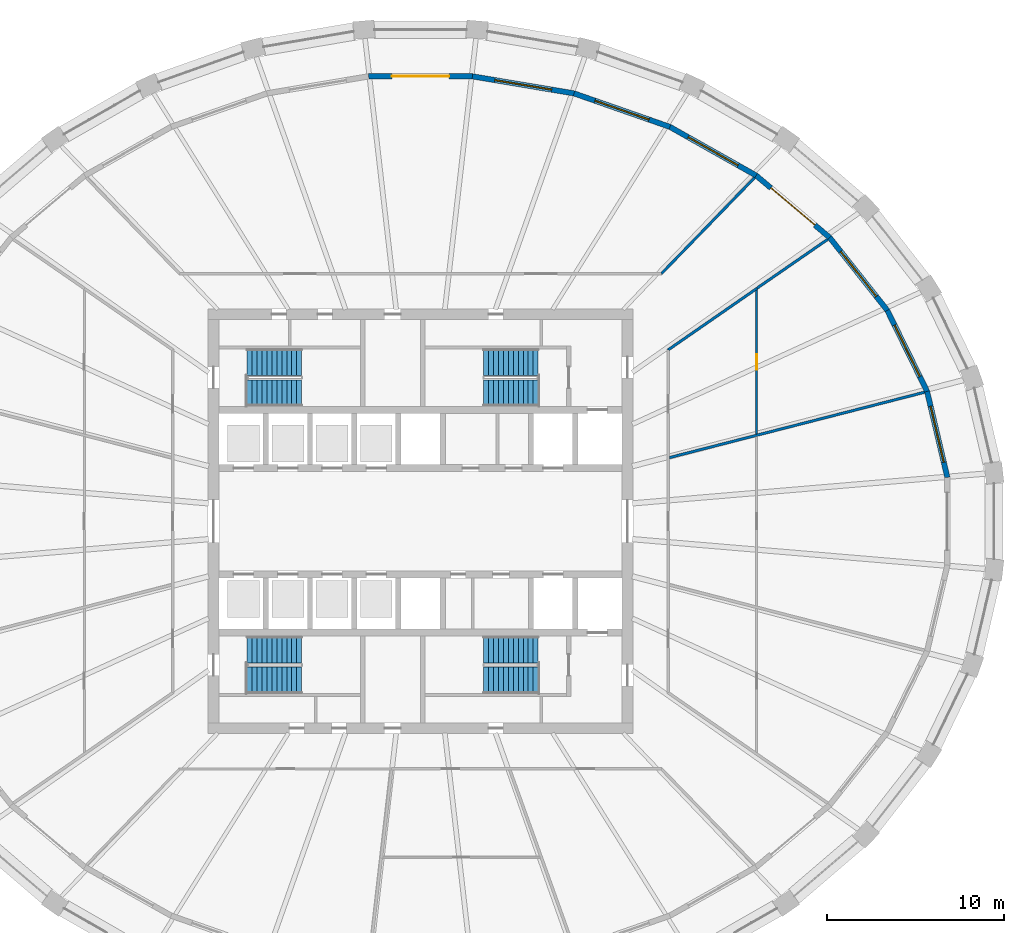
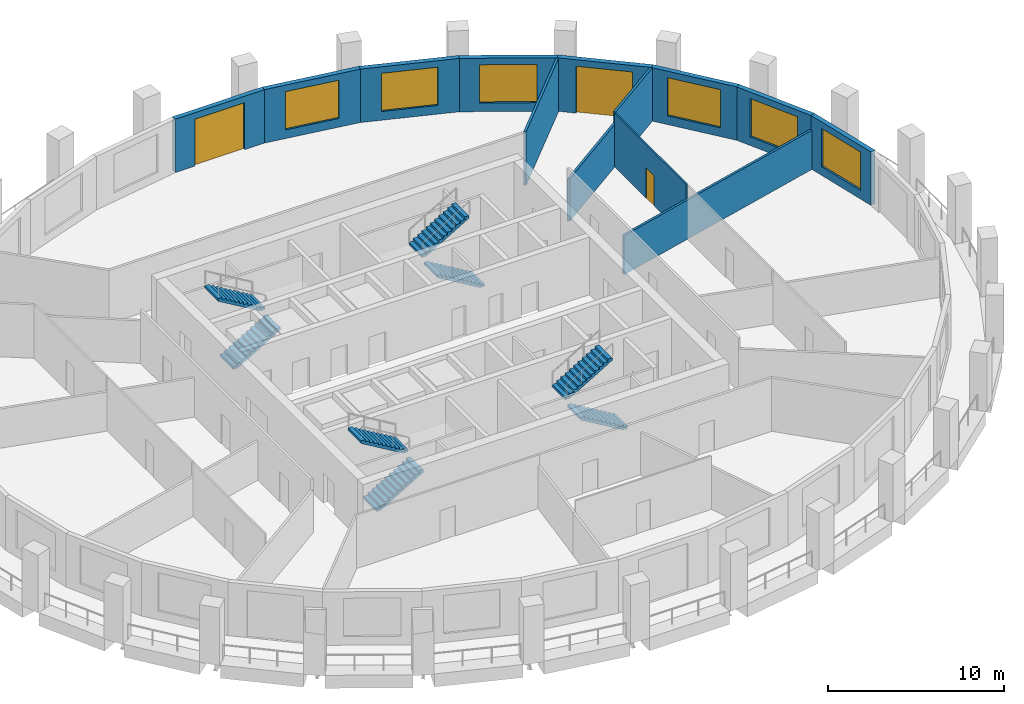
# One storey, part 7 of 10: 13 walls, 8 stair flights, 6 windows, 3 doors, 9 openings, 4 elements without a shape of their own.
"""IFC4 building model written with IfcOpenShell, lengths in metres."""

from ifc_helpers import new_model, si_unit, direction, frame, frame_2d, origin, place, context, subcontext, project, spatial, polyline, rectangle, outline, extrude, material, layer, layer_set, type_object, element, fill, aggregate, save


model = new_model("IFC4")

# Units and contexts
model_context = context("Model", 3, precision=1e-05, world=origin(), true_north=direction((0.0, 1.0)))
body_context = subcontext(model_context, "Body", "Model", "MODEL_VIEW")
ifc_project = project(units=[si_unit("LENGTHUNIT", "METRE"), si_unit("AREAUNIT", "SQUARE_METRE"), si_unit("VOLUMEUNIT", "CUBIC_METRE"), si_unit("PLANEANGLEUNIT", "RADIAN"), si_unit("MASSUNIT", "GRAM", prefix="KILO")], contexts=[model_context])

# Site, building, storey
site_placement = place(None, origin())
site = spatial("IfcSite", under=ifc_project, at=site_placement, CompositionType="ELEMENT")
building_placement = place(site_placement, origin())
building = spatial("IfcBuilding", under=site, at=building_placement, Name="Halqa Exchange Tower", CompositionType="ELEMENT")
storey_placement = place(building_placement, frame((0.0, 0.0, 194.89990234375)))
storey = spatial("IfcBuildingStorey", under=building, at=storey_placement, Name="L44", CompositionType="ELEMENT", Elevation=194.89990234375)

# Walls
ifc_material_1 = material(Name="Fire-rated gypsum board")
ifc_layer_1 = layer(ifc_material_1, 0.14990234375)
ifc_layer_set_1 = layer_set([ifc_layer_1], Name="Fire-rated gypsum board")
wall_type_1 = type_object("IfcWallType", Name="Fire partition EI 60 150", PredefinedType="PARTITIONING", material=ifc_layer_set_1)
wall_1_placement = place(storey_placement, frame((13.597900390625, 13.977294921875, 0.0), z_axis=(0.0, 0.0, 1.0), x_axis=(0.696864554069, 0.717202756048, 0.0)))
element("IfcWall", 1, at=wall_1_placement, inside=storey, type_object=wall_type_1, Name="L44-PWL-019", PredefinedType="PARTITIONING", context=body_context, shape_type="SweptSolid", body=[
    extrude(outline(polyline([(7.5986328125, -0.074951171875), (7.5986328125, -0.073974609375), (7.59375, -0.002685546875), (7.5732421875, 0.074951171875), (5.69580078125, 0.074951171875), (3.818359375, 0.074951171875), (1.94091796875, 0.074951171875), (0.0634765625, 0.074951171875), (0.03173828125, 0.0), (0.0, -0.074951171875), (1.899658203125, -0.074951171875), (3.79931640625, -0.074951171875), (5.698974609375, -0.074951171875), (7.5986328125, -0.074951171875)])), origin(), (0.0, 0.0, 1.0), 3.7001953125),
])
wall_2_placement = place(storey_placement, frame((14.056640625, 3.594482421875, 0.0), z_axis=(0.0, 0.0, 1.0), x_axis=(0.96870063855, 0.248231893342, 0.0)))
element("IfcWall", 2, at=wall_2_placement, inside=storey, type_object=wall_type_1, Name="L44-PWL-023", PredefinedType="PARTITIONING", context=body_context, shape_type="SweptSolid", body=[
    extrude(outline(polyline([(0.0, -0.074951171875), (1.677490234375, -0.074951171875), (3.354736328125, -0.074951171875), (5.0322265625, -0.074951171875), (5.03271484375, -0.073486328125), (5.0380859375, -0.074951171875), (7.011474609375, -0.074951171875), (8.984619140625, -0.074951171875), (10.957763671875, -0.074951171875), (12.93115234375, -0.074951171875), (14.904296875, -0.074951171875), (14.904296875, 0.007568359375), (14.89013671875, 0.074951171875), (12.947021484375, 0.074951171875), (11.003662109375, 0.074951171875), (9.060546875, 0.074951171875), (7.1171875, 0.074951171875), (5.173828125, 0.074951171875), (5.173583984375, 0.073486328125), (5.168212890625, 0.074951171875), (3.458251953125, 0.074951171875), (1.748291015625, 0.074951171875), (0.0380859375, 0.074951171875), (0.0, -0.073974609375), (0.0, -0.074951171875)])), origin(), (0.0, 0.0, 1.0), 2.710205078125),
])
wall_3_placement = place(storey_placement, frame((13.9677734375, 9.66748046875, 0.0), z_axis=(0.0, 0.0, 1.0), x_axis=(0.822290630684, 0.569067762827, 0.0)))
element("IfcWall", 3, at=wall_3_placement, inside=storey, type_object=wall_type_1, Name="L44-PWL-024", PredefinedType="PARTITIONING", context=body_context, shape_type="SweptSolid", body=[
    extrude(outline(polyline([(6.159912109375, 0.074951171875), (4.619873046875, 0.074951171875), (3.080078125, 0.074951171875), (1.5400390625, 0.074951171875), (0.000244140625, 0.074951171875), (0.07861328125, -0.074951171875), (1.598876953125, -0.074951171875), (3.119384765625, -0.074951171875), (4.6396484375, -0.074951171875), (6.159912109375, -0.074951171875), (6.159912109375, 0.074951171875)])), origin(), (0.0, 0.0, 1.0), 2.947021484375),
])
wall_4_placement = place(storey_placement, frame((19.0283203125, 13.179443359375, 0.0), z_axis=(0.0, 0.0, 1.0), x_axis=(0.822732902653, 0.568428158074, 0.0)))
element("IfcWall", 4, at=wall_4_placement, inside=storey, type_object=wall_type_1, Name="L44-PWL-026", PredefinedType="PARTITIONING", context=body_context, shape_type="SweptSolid", body=[
    extrude(outline(polyline([(4.856689453125, -0.074951171875), (4.856689453125, -0.067626953125), (4.852294921875, 0.001708984375), (4.832275390625, 0.074951171875), (3.221435546875, 0.074951171875), (1.61083984375, 0.074951171875), (0.0, 0.074951171875), (0.0, -0.039794921875), (0.0, -0.074951171875), (1.618896484375, -0.074951171875), (3.23779296875, -0.074951171875), (4.856689453125, -0.074951171875)])), origin(), (0.0, 0.0, 1.0), 3.7001953125),
])

# Wall, opening, door
ifc_material_2 = material(Name="Gypsum board")
ifc_layer_2 = layer(ifc_material_2, 0.10009765625)
ifc_layer_set_2 = layer_set([ifc_layer_2], Name="Gypsum board")
wall_type_2 = type_object("IfcWallType", Name="Partition 100 gypsum", PredefinedType="PARTITIONING", material=ifc_layer_set_2)
wall_5_placement = place(storey_placement, frame((19.0, 13.093017578125, 0.0), z_axis=(0.0, 0.0, 1.0), x_axis=(0.0, -1.0, 0.0)))
wall_5 = element("IfcWall", 5, at=wall_5_placement, inside=storey, type_object=wall_type_2, Name="L44-PWL-029", PredefinedType="PARTITIONING", context=body_context, shape_type="SweptSolid", body=[
    extrude(outline(polyline([(8.1669921875, -0.050048828125), (8.1669921875, -0.04931640625), (8.1416015625, 0.050048828125), (6.51318359375, 0.050048828125), (4.885009765625, 0.050048828125), (3.256591796875, 0.050048828125), (1.62841796875, 0.050048828125), (0.0, 0.050048828125), (0.0, 0.049560546875), (0.06884765625, -0.050048828125), (1.6884765625, -0.050048828125), (3.30810546875, -0.050048828125), (4.927734375, -0.050048828125), (6.54736328125, -0.050048828125), (8.1669921875, -0.050048828125)])), origin(), (0.0, 0.0, 1.0), 3.7001953125),
])
opening_1_placement = place(wall_5_placement, frame((3.637939453125, 0.0, 0.0)))
opening_1 = element("IfcOpeningElement", 6, at=opening_1_placement, cuts=wall_5, Name="Opening 13-18", PredefinedType="OPENING", context=body_context, shape_type="SweptSolid", body=[
    extrude(rectangle(XDim=0.89990234375, YDim=2.10009765625, at=frame_2d((0.449951171875, 1.050048828125))), frame((0.0, 0.06201171875, 0.0), z_axis=(0.0, -1.0, 0.0), x_axis=(1.0, 0.0, 0.0)), (0.0, 0.0, 1.0), 0.1240234375),
])
ifc_material_3 = material(Name="Timber door leaf", Category="wood")
door_type_1 = type_object("IfcDoorType", Name="Door 900 x 2100", OperationType="SINGLE_SWING_LEFT", PredefinedType="DOOR", material=ifc_material_3)
door_1_placement = place(opening_1_placement, frame((0.89990234375, 0.0, 0.0), z_axis=(0.0, 0.0, 1.0), x_axis=(-1.0, 0.0, 0.0)))
door_1 = element("IfcDoor", 7, at=door_1_placement, inside=storey, type_object=door_type_1, Name="L44-IDR-018", OperationType="SINGLE_SWING_RIGHT", OverallHeight=2.10009765625, OverallWidth=0.89990234375, PredefinedType="DOOR", context=body_context, shape_type="SweptSolid", body=[
    extrude(rectangle(XDim=0.89990234375, YDim=2.10009765625, at=frame_2d((0.449951171875, 1.050048828125))), frame((0.0, 0.02490234375, 0.0), z_axis=(0.0, -1.0, 0.0), x_axis=(1.0, 0.0, 0.0)), (0.0, 0.0, 1.0), 0.050048828125),
])
fill(opening_1, door_1)

# Wall, opening, window
ifc_material_4 = material(Name="Limestone cladding", Category="masonry")
ifc_layer_3 = layer(ifc_material_4, 0.0400390625)
ifc_material_5 = material(Name="Ventilated cavity")
ifc_layer_4 = layer(ifc_material_5, 0.030029296875, ventilated=True)
ifc_material_6 = material(Name="Mineral wool insulation")
ifc_layer_5 = layer(ifc_material_6, 0.10009765625)
ifc_material_7 = material(Name="Concrete C30/37", Category="concrete")
ifc_layer_6 = layer(ifc_material_7, 0.10009765625)
ifc_material_8 = material(Name="Internal plaster")
ifc_layer_7 = layer(ifc_material_8, 0.030029296875)
ifc_layer_set_3 = layer_set([ifc_layer_3, ifc_layer_4, ifc_layer_5, ifc_layer_6, ifc_layer_7], Name="Stone-faced insulated wall 300")
wall_type_3 = type_object("IfcWallType", Name="Stone-faced insulated wall 300", PredefinedType="STANDARD", material=ifc_layer_set_3)
wall_6_placement = place(storey_placement, frame((29.785400390625, 2.47998046875, 0.0), z_axis=(0.0, 0.0, 1.0), x_axis=(-0.229455912692, 0.97331905567, 0.0)))
wall_6 = element("IfcWall", 8, at=wall_6_placement, inside=storey, type_object=wall_type_3, Name="Glass-line wall 1", PredefinedType="STANDARD", context=body_context, shape_type="SweptSolid", body=[
    extrude(outline(polyline([(-0.017333984375, -0.14990234375), (5.014404296875, -0.14990234375), (4.980712890625, 0.14990234375), (0.017333984375, 0.14990234375), (-0.017333984375, -0.14990234375)])), origin(), (0.0, 0.0, 1.0), 3.7001953125),
])
opening_2_placement = place(wall_6_placement, frame((0.873779296875, 0.0, 0.60009765625)))
opening_2 = element("IfcOpeningElement", 9, at=opening_2_placement, cuts=wall_6, Name="Opening W-F3-01", PredefinedType="OPENING", context=body_context, shape_type="SweptSolid", body=[
    extrude(rectangle(XDim=3.25, YDim=2.64990234375, at=frame_2d((1.625, 1.324951171875))), frame((0.0, 0.162109375, 0.0), z_axis=(0.0, -1.0, 0.0), x_axis=(1.0, 0.0, 0.0)), (0.0, 0.0, 1.0), 0.323974609375),
])
ifc_material_9 = material(Name="Clear low-emissivity glass in aluminium frame", Category="aluminium")
window_type = type_object("IfcWindowType", Name="Fixed clear glazed window 3250 x 2650", PartitioningType="TRIPLE_PANEL_VERTICAL", PredefinedType="WINDOW", material=ifc_material_9)
window_1_placement = place(opening_2_placement, origin())
window_1 = element("IfcWindow", 10, at=window_1_placement, inside=storey, type_object=window_type, Name="Window 3", OverallHeight=2.64990234375, OverallWidth=3.25, PartitioningType="TRIPLE_PANEL_VERTICAL", PredefinedType="WINDOW", context=body_context, shape_type="SweptSolid", body=[
    extrude(rectangle(XDim=3.25, YDim=2.64990234375, at=frame_2d((1.625, 1.324951171875))), frame((0.0, 0.030029296875, 0.0), z_axis=(0.0, -1.0, 0.0), x_axis=(1.0, 0.0, 0.0)), (0.0, 0.0, 1.0), 0.06005859375),
])
fill(opening_2, window_1)

wall_7_placement = place(storey_placement, frame((28.638671875, 7.34423828125, 0.0), z_axis=(0.0, 0.0, 1.0), x_axis=(-0.440694221881, 0.897657285829, 0.0)))
wall_7 = element("IfcWall", 11, at=wall_7_placement, inside=storey, type_object=wall_type_3, Name="Glass-line wall 2", PredefinedType="STANDARD", context=body_context, shape_type="SweptSolid", body=[
    extrude(outline(polyline([(-0.016845703125, -0.14990234375), (5.118408203125, -0.14990234375), (5.086181640625, 0.14990234375), (0.016845703125, 0.14990234375), (-0.016845703125, -0.14990234375)])), origin(), (0.0, 0.0, 1.0), 3.7001953125),
])
opening_3_placement = place(wall_7_placement, frame((0.926025390625, 0.0, 0.60009765625)))
opening_3 = element("IfcOpeningElement", 12, at=opening_3_placement, cuts=wall_7, Name="Opening W-F3-02", PredefinedType="OPENING", context=body_context, shape_type="SweptSolid", body=[
    extrude(rectangle(XDim=3.25, YDim=2.64990234375, at=frame_2d((1.625, 1.324951171875))), frame((0.0, 0.162109375, 0.0), z_axis=(0.0, -1.0, 0.0), x_axis=(1.0, 0.0, 0.0)), (0.0, 0.0, 1.0), 0.323974609375),
])
window_2_placement = place(opening_3_placement, origin())
window_2 = element("IfcWindow", 13, at=window_2_placement, inside=storey, type_object=window_type, Name="Window 3", OverallHeight=2.64990234375, OverallWidth=3.25, PartitioningType="TRIPLE_PANEL_VERTICAL", PredefinedType="WINDOW", context=body_context, shape_type="SweptSolid", body=[
    extrude(rectangle(XDim=3.25, YDim=2.64990234375, at=frame_2d((1.625, 1.324951171875))), frame((0.0, 0.030029296875, 0.0), z_axis=(0.0, -1.0, 0.0), x_axis=(1.0, 0.0, 0.0)), (0.0, 0.0, 1.0), 0.06005859375),
])
fill(opening_3, window_2)

wall_8_placement = place(storey_placement, frame((26.39013671875, 11.92431640625, 0.0), z_axis=(0.0, 0.0, 1.0), x_axis=(-0.620829074232, 0.783945955145, 0.0)))
wall_8 = element("IfcWall", 14, at=wall_8_placement, inside=storey, type_object=wall_type_3, Name="Glass-line wall 3", PredefinedType="STANDARD", context=body_context, shape_type="SweptSolid", body=[
    extrude(outline(polyline([(-0.01611328125, -0.14990234375), (5.27001953125, -0.14990234375), (5.23974609375, 0.14990234375), (0.01611328125, 0.14990234375), (-0.01611328125, -0.14990234375)])), origin(), (0.0, 0.0, 1.0), 3.7001953125),
])
opening_4_placement = place(wall_8_placement, frame((1.002685546875, 0.0, 0.60009765625)))
opening_4 = element("IfcOpeningElement", 15, at=opening_4_placement, cuts=wall_8, Name="Opening W-F3-03", PredefinedType="OPENING", context=body_context, shape_type="SweptSolid", body=[
    extrude(rectangle(XDim=3.25, YDim=2.64990234375, at=frame_2d((1.625, 1.324951171875))), frame((0.0, 0.162109375, 0.0), z_axis=(0.0, -1.0, 0.0), x_axis=(1.0, 0.0, 0.0)), (0.0, 0.0, 1.0), 0.323974609375),
])
window_3_placement = place(opening_4_placement, origin())
window_3 = element("IfcWindow", 16, at=window_3_placement, inside=storey, type_object=window_type, Name="Window 3", OverallHeight=2.64990234375, OverallWidth=3.25, PartitioningType="TRIPLE_PANEL_VERTICAL", PredefinedType="WINDOW", context=body_context, shape_type="SweptSolid", body=[
    extrude(rectangle(XDim=3.25, YDim=2.64990234375, at=frame_2d((1.625, 1.324951171875))), frame((0.0, 0.030029296875, 0.0), z_axis=(0.0, -1.0, 0.0), x_axis=(1.0, 0.0, 0.0)), (0.0, 0.0, 1.0), 0.06005859375),
])
fill(opening_4, window_3)

# Wall, opening, door
wall_9_placement = place(storey_placement, frame((23.127685546875, 16.0439453125, 0.0), z_axis=(0.0, 0.0, 1.0), x_axis=(-0.764330261608, 0.644824977176, 0.0)))
wall_9 = element("IfcWall", 17, at=wall_9_placement, inside=storey, type_object=wall_type_3, Name="Glass-line wall 4", PredefinedType="STANDARD", context=body_context, shape_type="SweptSolid", body=[
    extrude(outline(polyline([(-0.01513671875, -0.14990234375), (5.4443359375, -0.14990234375), (5.416015625, 0.14990234375), (0.01513671875, 0.14990234375), (-0.01513671875, -0.14990234375)])), origin(), (0.0, 0.0, 1.0), 3.7001953125),
])
opening_5_placement = place(wall_9_placement, frame((1.090087890625, 0.0, 0.0)))
opening_5 = element("IfcOpeningElement", 18, at=opening_5_placement, cuts=wall_9, Name="Opening LG-F3-01", PredefinedType="OPENING", context=body_context, shape_type="SweptSolid", body=[
    extrude(rectangle(XDim=3.25, YDim=3.25, at=frame_2d((1.625, 1.625))), frame((0.0, 0.162109375, 0.0), z_axis=(0.0, -1.0, 0.0), x_axis=(1.0, 0.0, 0.0)), (0.0, 0.0, 1.0), 0.323974609375),
])
door_type_2 = type_object("IfcDoorType", Name="Glazed sliding loggia door 3250 x 3250", OperationType="DOUBLE_DOOR_SLIDING", PredefinedType="DOOR", material=ifc_material_9)
door_2_placement = place(opening_5_placement, origin())
door_2 = element("IfcDoor", 19, at=door_2_placement, inside=storey, type_object=door_type_2, Name="Loggia door 1", OperationType="DOUBLE_DOOR_SLIDING", OverallHeight=3.25, OverallWidth=3.25, PredefinedType="DOOR", context=body_context, shape_type="SweptSolid", body=[
    extrude(rectangle(XDim=3.25, YDim=3.25, at=frame_2d((1.625, 1.625))), frame((0.0, 0.02490234375, 0.0), z_axis=(0.0, -1.0, 0.0), x_axis=(1.0, 0.0, 0.0)), (0.0, 0.0, 1.0), 0.050048828125),
])
fill(opening_5, door_2)

# Wall, opening, window
wall_10_placement = place(storey_placement, frame((18.977294921875, 19.54541015625, 0.0), z_axis=(0.0, 0.0, 1.0), x_axis=(-0.871083701819, 0.491134588912, 0.0)))
wall_10 = element("IfcWall", 20, at=wall_10_placement, inside=storey, type_object=wall_type_3, Name="Glass-line wall 5", PredefinedType="STANDARD", context=body_context, shape_type="SweptSolid", body=[
    extrude(outline(polyline([(-0.01416015625, -0.14990234375), (5.61279296875, -0.14990234375), (5.5859375, 0.14990234375), (0.01416015625, 0.14990234375), (-0.01416015625, -0.14990234375)])), origin(), (0.0, 0.0, 1.0), 3.7001953125),
])
opening_6_placement = place(wall_10_placement, frame((1.1748046875, 0.0, 0.60009765625)))
opening_6 = element("IfcOpeningElement", 21, at=opening_6_placement, cuts=wall_10, Name="Opening W-F3-05", PredefinedType="OPENING", context=body_context, shape_type="SweptSolid", body=[
    extrude(rectangle(XDim=3.25, YDim=2.64990234375, at=frame_2d((1.625, 1.324951171875))), frame((0.0, 0.162109375, 0.0), z_axis=(0.0, -1.0, 0.0), x_axis=(1.0, 0.0, 0.0)), (0.0, 0.0, 1.0), 0.323974609375),
])
window_4_placement = place(opening_6_placement, origin())
window_4 = element("IfcWindow", 22, at=window_4_placement, inside=storey, type_object=window_type, Name="Window 3", OverallHeight=2.64990234375, OverallWidth=3.25, PartitioningType="TRIPLE_PANEL_VERTICAL", PredefinedType="WINDOW", context=body_context, shape_type="SweptSolid", body=[
    extrude(rectangle(XDim=3.25, YDim=2.64990234375, at=frame_2d((1.625, 1.324951171875))), frame((0.0, 0.030029296875, 0.0), z_axis=(0.0, -1.0, 0.0), x_axis=(1.0, 0.0, 0.0)), (0.0, 0.0, 1.0), 0.06005859375),
])
fill(opening_6, window_4)

wall_11_placement = place(storey_placement, frame((14.099853515625, 22.29541015625, 0.0), z_axis=(0.0, 0.0, 1.0), x_axis=(-0.944020060936, 0.329888048511, 0.0)))
wall_11 = element("IfcWall", 23, at=wall_11_placement, inside=storey, type_object=wall_type_3, Name="Glass-line wall 6", PredefinedType="STANDARD", context=body_context, shape_type="SweptSolid", body=[
    extrude(outline(polyline([(-0.013427734375, -0.14990234375), (5.751953125, -0.14990234375), (5.7265625, 0.14990234375), (0.013427734375, 0.14990234375), (-0.013427734375, -0.14990234375)])), origin(), (0.0, 0.0, 1.0), 3.7001953125),
])
opening_7_placement = place(wall_11_placement, frame((1.24462890625, 0.0, 0.60009765625)))
opening_7 = element("IfcOpeningElement", 24, at=opening_7_placement, cuts=wall_11, Name="Opening W-F3-06", PredefinedType="OPENING", context=body_context, shape_type="SweptSolid", body=[
    extrude(rectangle(XDim=3.25, YDim=2.64990234375, at=frame_2d((1.625, 1.324951171875))), frame((0.0, 0.162109375, 0.0), z_axis=(0.0, -1.0, 0.0), x_axis=(1.0, 0.0, 0.0)), (0.0, 0.0, 1.0), 0.323974609375),
])
window_5_placement = place(opening_7_placement, origin())
window_5 = element("IfcWindow", 25, at=window_5_placement, inside=storey, type_object=window_type, Name="Window 3", OverallHeight=2.64990234375, OverallWidth=3.25, PartitioningType="TRIPLE_PANEL_VERTICAL", PredefinedType="WINDOW", context=body_context, shape_type="SweptSolid", body=[
    extrude(rectangle(XDim=3.25, YDim=2.64990234375, at=frame_2d((1.625, 1.324951171875))), frame((0.0, 0.030029296875, 0.0), z_axis=(0.0, -1.0, 0.0), x_axis=(1.0, 0.0, 0.0)), (0.0, 0.0, 1.0), 0.06005859375),
])
fill(opening_7, window_5)

wall_12_placement = place(storey_placement, frame((8.681884765625, 24.188720703125, 0.0), z_axis=(0.0, 0.0, 1.0), x_axis=(-0.986207709048, 0.165512400181, 0.0)))
wall_12 = element("IfcWall", 26, at=wall_12_placement, inside=storey, type_object=wall_type_3, Name="Glass-line wall 7", PredefinedType="STANDARD", context=body_context, shape_type="SweptSolid", body=[
    extrude(outline(polyline([(-0.0126953125, -0.14990234375), (5.84326171875, -0.14990234375), (5.818359375, 0.14990234375), (0.0126953125, 0.14990234375), (-0.0126953125, -0.14990234375)])), origin(), (0.0, 0.0, 1.0), 3.7001953125),
])
opening_8_placement = place(wall_12_placement, frame((1.29052734375, 0.0, 0.60009765625)))
opening_8 = element("IfcOpeningElement", 27, at=opening_8_placement, cuts=wall_12, Name="Opening W-F3-07", PredefinedType="OPENING", context=body_context, shape_type="SweptSolid", body=[
    extrude(rectangle(XDim=3.25, YDim=2.64990234375, at=frame_2d((1.625, 1.324951171875))), frame((0.0, 0.162109375, 0.0), z_axis=(0.0, -1.0, 0.0), x_axis=(1.0, 0.0, 0.0)), (0.0, 0.0, 1.0), 0.323974609375),
])
window_6_placement = place(opening_8_placement, origin())
window_6 = element("IfcWindow", 28, at=window_6_placement, inside=storey, type_object=window_type, Name="Window 3", OverallHeight=2.64990234375, OverallWidth=3.25, PartitioningType="TRIPLE_PANEL_VERTICAL", PredefinedType="WINDOW", context=body_context, shape_type="SweptSolid", body=[
    extrude(rectangle(XDim=3.25, YDim=2.64990234375, at=frame_2d((1.625, 1.324951171875))), frame((0.0, 0.030029296875, 0.0), z_axis=(0.0, -1.0, 0.0), x_axis=(1.0, 0.0, 0.0)), (0.0, 0.0, 1.0), 0.06005859375),
])
fill(opening_8, window_6)

# Wall, opening, door
wall_13_placement = place(storey_placement, frame((2.931396484375, 25.15380859375, 0.0), z_axis=(0.0, 0.0, 1.0), x_axis=(-1.0, 0.0, 0.0)))
wall_13 = element("IfcWall", 29, at=wall_13_placement, inside=storey, type_object=wall_type_3, Name="Glass-line wall 8", PredefinedType="STANDARD", context=body_context, shape_type="SweptSolid", body=[
    extrude(outline(polyline([(-0.012451171875, -0.14990234375), (5.875244140625, -0.14990234375), (5.850341796875, 0.14990234375), (0.012451171875, 0.14990234375), (-0.012451171875, -0.14990234375)])), origin(), (0.0, 0.0, 1.0), 3.7001953125),
])
opening_9_placement = place(wall_13_placement, frame((1.306396484375, 0.0, 0.0)))
opening_9 = element("IfcOpeningElement", 30, at=opening_9_placement, cuts=wall_13, Name="Opening LG-F3-02", PredefinedType="OPENING", context=body_context, shape_type="SweptSolid", body=[
    extrude(rectangle(XDim=3.25, YDim=3.25, at=frame_2d((1.625, 1.625))), frame((0.0, 0.162109375, 0.0), z_axis=(0.0, -1.0, 0.0), x_axis=(1.0, 0.0, 0.0)), (0.0, 0.0, 1.0), 0.323974609375),
])
door_3_placement = place(opening_9_placement, origin())
door_3 = element("IfcDoor", 31, at=door_3_placement, inside=storey, type_object=door_type_2, Name="Loggia door 2", OperationType="DOUBLE_DOOR_SLIDING", OverallHeight=3.25, OverallWidth=3.25, PredefinedType="DOOR", context=body_context, shape_type="SweptSolid", body=[
    extrude(rectangle(XDim=3.25, YDim=3.25, at=frame_2d((1.625, 1.625))), frame((0.0, 0.02490234375, 0.0), z_axis=(0.0, -1.0, 0.0), x_axis=(1.0, 0.0, 0.0)), (0.0, 0.0, 1.0), 0.050048828125),
])
fill(opening_9, door_3)

# Stair, stair flights
stair_type = type_object("IfcStairType", Name="Exit stair 1500 wide", PredefinedType="HALF_TURN_STAIR", material=ifc_material_7)
stair_1_placement = place(storey_placement, origin())
stair_1 = element("IfcStair", 32, at=stair_1_placement, inside=storey, type_object=stair_type, Name="Exit stair ST1", PredefinedType="HALF_TURN_STAIR")
stair_flight_type = type_object("IfcStairFlightType", Name="Stair flight 1500 wide", PredefinedType="STRAIGHT", material=ifc_material_7)
stair_flight_1_placement = place(storey_placement, frame((-9.800048828125, 7.25, 0.0), z_axis=(0.0, 0.0, 1.0), x_axis=(1.0, 0.0, 0.0)))
stair_flight_1 = element("IfcStairFlight", 33, at=stair_flight_1_placement, type_object=stair_flight_type, Name="ST1 flight 1", NumberOfRisers=12, NumberOfTreads=11, PredefinedType="STRAIGHT", RiserHeight=0.166666667, TreadLength=0.28, context=body_context, shape_type="SweptSolid", body=[
    extrude(outline(polyline([(0.0, 0.0), (0.0, 0.166748046875), (0.280029296875, 0.166748046875), (0.280029296875, 0.333251953125), (0.56005859375, 0.333251953125), (0.56005859375, 0.5), (0.840087890625, 0.5), (0.840087890625, 0.666748046875), (1.1201171875, 0.666748046875), (1.1201171875, 0.833251953125), (1.39990234375, 0.833251953125), (1.39990234375, 1.0), (1.679931640625, 1.0), (1.679931640625, 1.166748046875), (1.9599609375, 1.166748046875), (1.9599609375, 1.333251953125), (2.239990234375, 1.333251953125), (2.239990234375, 1.5), (2.52001953125, 1.5), (2.52001953125, 1.666748046875), (2.800048828125, 1.666748046875), (2.800048828125, 1.833251953125), (3.080078125, 1.833251953125), (3.080078125, 2.0), (3.080078125, 1.658935546875), (0.29296875, 0.0), (0.0, 0.0)])), frame((0.0, 0.75, 0.0), z_axis=(0.0, -1.0, 0.0), x_axis=(1.0, 0.0, 0.0)), (0.0, 0.0, 1.0), 1.5),
])
stair_flight_2_placement = place(storey_placement, frame((-6.719970703125, 9.0, 2.0), z_axis=(0.0, 0.0, 1.0), x_axis=(-1.0, 0.0, 0.0)))
stair_flight_2 = element("IfcStairFlight", 34, at=stair_flight_2_placement, type_object=stair_flight_type, Name="ST1 flight 2", NumberOfRisers=12, NumberOfTreads=11, PredefinedType="STRAIGHT", RiserHeight=0.166666667, TreadLength=0.28, context=body_context, shape_type="SweptSolid", body=[
    extrude(outline(polyline([(0.0, 0.0), (0.0, 0.166748046875), (0.280029296875, 0.166748046875), (0.280029296875, 0.333251953125), (0.56005859375, 0.333251953125), (0.56005859375, 0.5), (0.840087890625, 0.5), (0.840087890625, 0.666748046875), (1.1201171875, 0.666748046875), (1.1201171875, 0.833251953125), (1.39990234375, 0.833251953125), (1.39990234375, 1.0), (1.679931640625, 1.0), (1.679931640625, 1.166748046875), (1.9599609375, 1.166748046875), (1.9599609375, 1.333251953125), (2.239990234375, 1.333251953125), (2.239990234375, 1.5), (2.52001953125, 1.5), (2.52001953125, 1.666748046875), (2.800048828125, 1.666748046875), (2.800048828125, 1.833251953125), (3.080078125, 1.833251953125), (3.080078125, 2.0), (3.080078125, 1.658935546875), (0.29296875, 0.0), (0.0, 0.0)])), frame((0.0, 0.75, 0.0), z_axis=(0.0, -1.0, 0.0), x_axis=(1.0, 0.0, 0.0)), (0.0, 0.0, 1.0), 1.5),
])
aggregate(stair_1, [stair_flight_1, stair_flight_2])

stair_2_placement = place(storey_placement, origin())
stair_2 = element("IfcStair", 35, at=stair_2_placement, inside=storey, type_object=stair_type, Name="Exit stair ST2", PredefinedType="HALF_TURN_STAIR")
stair_flight_3_placement = place(storey_placement, frame((6.64990234375, 7.25, 0.0), z_axis=(0.0, 0.0, 1.0), x_axis=(-1.0, 0.0, 0.0)))
stair_flight_3 = element("IfcStairFlight", 36, at=stair_flight_3_placement, type_object=stair_flight_type, Name="ST2 flight 1", NumberOfRisers=12, NumberOfTreads=11, PredefinedType="STRAIGHT", RiserHeight=0.166666667, TreadLength=0.28, context=body_context, shape_type="SweptSolid", body=[
    extrude(outline(polyline([(0.0, 0.0), (0.0, 0.166748046875), (0.280029296875, 0.166748046875), (0.280029296875, 0.333251953125), (0.56005859375, 0.333251953125), (0.56005859375, 0.5), (0.840087890625, 0.5), (0.840087890625, 0.666748046875), (1.1201171875, 0.666748046875), (1.1201171875, 0.833251953125), (1.39990234375, 0.833251953125), (1.39990234375, 1.0), (1.679931640625, 1.0), (1.679931640625, 1.166748046875), (1.9599609375, 1.166748046875), (1.9599609375, 1.333251953125), (2.239990234375, 1.333251953125), (2.239990234375, 1.5), (2.52001953125, 1.5), (2.52001953125, 1.666748046875), (2.800048828125, 1.666748046875), (2.800048828125, 1.833251953125), (3.080078125, 1.833251953125), (3.080078125, 2.0), (3.080078125, 1.658935546875), (0.29296875, 0.0), (0.0, 0.0)])), frame((0.0, 0.75, 0.0), z_axis=(0.0, -1.0, 0.0), x_axis=(1.0, 0.0, 0.0)), (0.0, 0.0, 1.0), 1.5),
])
stair_flight_4_placement = place(storey_placement, frame((3.570068359375, 9.0, 2.0), z_axis=(0.0, 0.0, 1.0), x_axis=(1.0, 0.0, 0.0)))
stair_flight_4 = element("IfcStairFlight", 37, at=stair_flight_4_placement, type_object=stair_flight_type, Name="ST2 flight 2", NumberOfRisers=12, NumberOfTreads=11, PredefinedType="STRAIGHT", RiserHeight=0.166666667, TreadLength=0.28, context=body_context, shape_type="SweptSolid", body=[
    extrude(outline(polyline([(0.0, 0.0), (0.0, 0.166748046875), (0.280029296875, 0.166748046875), (0.280029296875, 0.333251953125), (0.56005859375, 0.333251953125), (0.56005859375, 0.5), (0.840087890625, 0.5), (0.840087890625, 0.666748046875), (1.1201171875, 0.666748046875), (1.1201171875, 0.833251953125), (1.39990234375, 0.833251953125), (1.39990234375, 1.0), (1.679931640625, 1.0), (1.679931640625, 1.166748046875), (1.9599609375, 1.166748046875), (1.9599609375, 1.333251953125), (2.239990234375, 1.333251953125), (2.239990234375, 1.5), (2.52001953125, 1.5), (2.52001953125, 1.666748046875), (2.800048828125, 1.666748046875), (2.800048828125, 1.833251953125), (3.080078125, 1.833251953125), (3.080078125, 2.0), (3.080078125, 1.658935546875), (0.29296875, 0.0), (0.0, 0.0)])), frame((0.0, 0.75, 0.0), z_axis=(0.0, -1.0, 0.0), x_axis=(1.0, 0.0, 0.0)), (0.0, 0.0, 1.0), 1.5),
])
aggregate(stair_2, [stair_flight_3, stair_flight_4])

stair_3_placement = place(storey_placement, origin())
stair_3 = element("IfcStair", 38, at=stair_3_placement, inside=storey, type_object=stair_type, Name="Exit stair ST3", PredefinedType="HALF_TURN_STAIR")
stair_flight_5_placement = place(storey_placement, frame((-9.800048828125, -9.0, 0.0), z_axis=(0.0, 0.0, 1.0), x_axis=(1.0, 0.0, 0.0)))
stair_flight_5 = element("IfcStairFlight", 39, at=stair_flight_5_placement, type_object=stair_flight_type, Name="ST3 flight 1", NumberOfRisers=12, NumberOfTreads=11, PredefinedType="STRAIGHT", RiserHeight=0.166666667, TreadLength=0.28, context=body_context, shape_type="SweptSolid", body=[
    extrude(outline(polyline([(0.0, 0.0), (0.0, 0.166748046875), (0.280029296875, 0.166748046875), (0.280029296875, 0.333251953125), (0.56005859375, 0.333251953125), (0.56005859375, 0.5), (0.840087890625, 0.5), (0.840087890625, 0.666748046875), (1.1201171875, 0.666748046875), (1.1201171875, 0.833251953125), (1.39990234375, 0.833251953125), (1.39990234375, 1.0), (1.679931640625, 1.0), (1.679931640625, 1.166748046875), (1.9599609375, 1.166748046875), (1.9599609375, 1.333251953125), (2.239990234375, 1.333251953125), (2.239990234375, 1.5), (2.52001953125, 1.5), (2.52001953125, 1.666748046875), (2.800048828125, 1.666748046875), (2.800048828125, 1.833251953125), (3.080078125, 1.833251953125), (3.080078125, 2.0), (3.080078125, 1.658935546875), (0.29296875, 0.0), (0.0, 0.0)])), frame((0.0, 0.75, 0.0), z_axis=(0.0, -1.0, 0.0), x_axis=(1.0, 0.0, 0.0)), (0.0, 0.0, 1.0), 1.5),
])
stair_flight_6_placement = place(storey_placement, frame((-6.719970703125, -7.25, 2.0), z_axis=(0.0, 0.0, 1.0), x_axis=(-1.0, 0.0, 0.0)))
stair_flight_6 = element("IfcStairFlight", 40, at=stair_flight_6_placement, type_object=stair_flight_type, Name="ST3 flight 2", NumberOfRisers=12, NumberOfTreads=11, PredefinedType="STRAIGHT", RiserHeight=0.166666667, TreadLength=0.28, context=body_context, shape_type="SweptSolid", body=[
    extrude(outline(polyline([(0.0, 0.0), (0.0, 0.166748046875), (0.280029296875, 0.166748046875), (0.280029296875, 0.333251953125), (0.56005859375, 0.333251953125), (0.56005859375, 0.5), (0.840087890625, 0.5), (0.840087890625, 0.666748046875), (1.1201171875, 0.666748046875), (1.1201171875, 0.833251953125), (1.39990234375, 0.833251953125), (1.39990234375, 1.0), (1.679931640625, 1.0), (1.679931640625, 1.166748046875), (1.9599609375, 1.166748046875), (1.9599609375, 1.333251953125), (2.239990234375, 1.333251953125), (2.239990234375, 1.5), (2.52001953125, 1.5), (2.52001953125, 1.666748046875), (2.800048828125, 1.666748046875), (2.800048828125, 1.833251953125), (3.080078125, 1.833251953125), (3.080078125, 2.0), (3.080078125, 1.658935546875), (0.29296875, 0.0), (0.0, 0.0)])), frame((0.0, 0.75, 0.0), z_axis=(0.0, -1.0, 0.0), x_axis=(1.0, 0.0, 0.0)), (0.0, 0.0, 1.0), 1.5),
])
aggregate(stair_3, [stair_flight_5, stair_flight_6])

stair_4_placement = place(storey_placement, origin())
stair_4 = element("IfcStair", 41, at=stair_4_placement, inside=storey, type_object=stair_type, Name="Exit stair ST4", PredefinedType="HALF_TURN_STAIR")
stair_flight_7_placement = place(storey_placement, frame((6.64990234375, -9.0, 0.0), z_axis=(0.0, 0.0, 1.0), x_axis=(-1.0, 0.0, 0.0)))
stair_flight_7 = element("IfcStairFlight", 42, at=stair_flight_7_placement, type_object=stair_flight_type, Name="ST4 flight 1", NumberOfRisers=12, NumberOfTreads=11, PredefinedType="STRAIGHT", RiserHeight=0.166666667, TreadLength=0.28, context=body_context, shape_type="SweptSolid", body=[
    extrude(outline(polyline([(0.0, 0.0), (0.0, 0.166748046875), (0.280029296875, 0.166748046875), (0.280029296875, 0.333251953125), (0.56005859375, 0.333251953125), (0.56005859375, 0.5), (0.840087890625, 0.5), (0.840087890625, 0.666748046875), (1.1201171875, 0.666748046875), (1.1201171875, 0.833251953125), (1.39990234375, 0.833251953125), (1.39990234375, 1.0), (1.679931640625, 1.0), (1.679931640625, 1.166748046875), (1.9599609375, 1.166748046875), (1.9599609375, 1.333251953125), (2.239990234375, 1.333251953125), (2.239990234375, 1.5), (2.52001953125, 1.5), (2.52001953125, 1.666748046875), (2.800048828125, 1.666748046875), (2.800048828125, 1.833251953125), (3.080078125, 1.833251953125), (3.080078125, 2.0), (3.080078125, 1.658935546875), (0.29296875, 0.0), (0.0, 0.0)])), frame((0.0, 0.75, 0.0), z_axis=(0.0, -1.0, 0.0), x_axis=(1.0, 0.0, 0.0)), (0.0, 0.0, 1.0), 1.5),
])
stair_flight_8_placement = place(storey_placement, frame((3.570068359375, -7.25, 2.0), z_axis=(0.0, 0.0, 1.0), x_axis=(1.0, 0.0, 0.0)))
stair_flight_8 = element("IfcStairFlight", 43, at=stair_flight_8_placement, type_object=stair_flight_type, Name="ST4 flight 2", NumberOfRisers=12, NumberOfTreads=11, PredefinedType="STRAIGHT", RiserHeight=0.166666667, TreadLength=0.28, context=body_context, shape_type="SweptSolid", body=[
    extrude(outline(polyline([(0.0, 0.0), (0.0, 0.166748046875), (0.280029296875, 0.166748046875), (0.280029296875, 0.333251953125), (0.56005859375, 0.333251953125), (0.56005859375, 0.5), (0.840087890625, 0.5), (0.840087890625, 0.666748046875), (1.1201171875, 0.666748046875), (1.1201171875, 0.833251953125), (1.39990234375, 0.833251953125), (1.39990234375, 1.0), (1.679931640625, 1.0), (1.679931640625, 1.166748046875), (1.9599609375, 1.166748046875), (1.9599609375, 1.333251953125), (2.239990234375, 1.333251953125), (2.239990234375, 1.5), (2.52001953125, 1.5), (2.52001953125, 1.666748046875), (2.800048828125, 1.666748046875), (2.800048828125, 1.833251953125), (3.080078125, 1.833251953125), (3.080078125, 2.0), (3.080078125, 1.658935546875), (0.29296875, 0.0), (0.0, 0.0)])), frame((0.0, 0.75, 0.0), z_axis=(0.0, -1.0, 0.0), x_axis=(1.0, 0.0, 0.0)), (0.0, 0.0, 1.0), 1.5),
])
aggregate(stair_4, [stair_flight_7, stair_flight_8])

save(model, "model.ifc")
